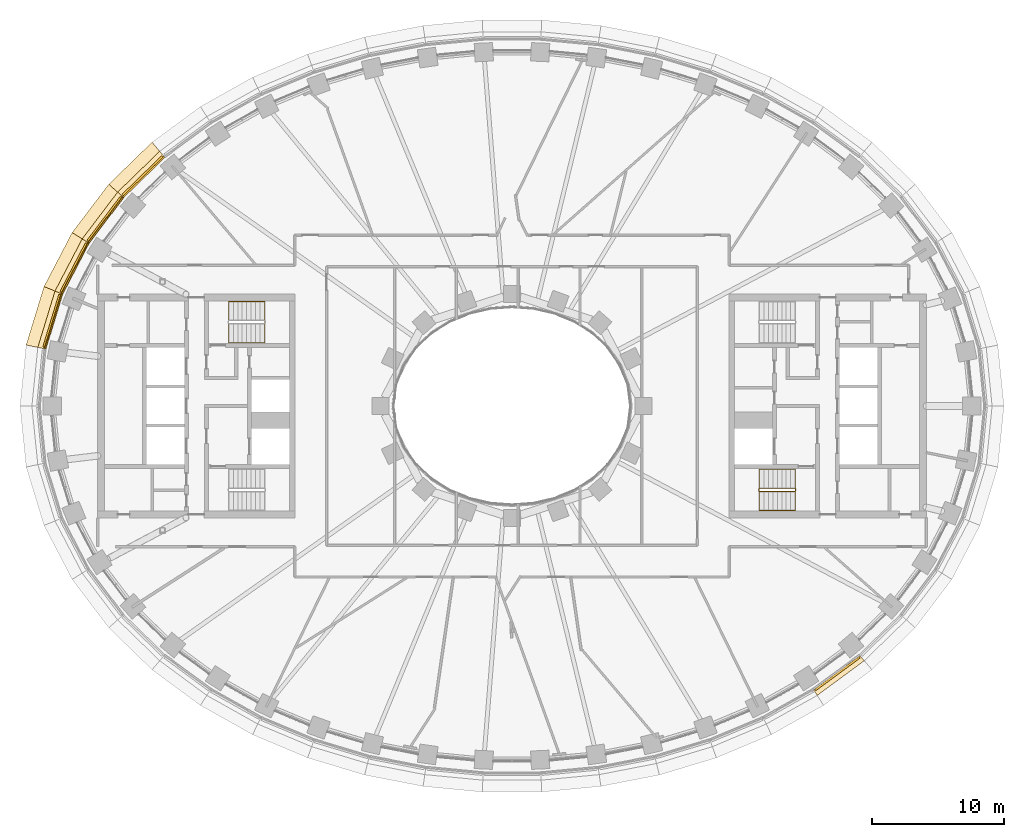
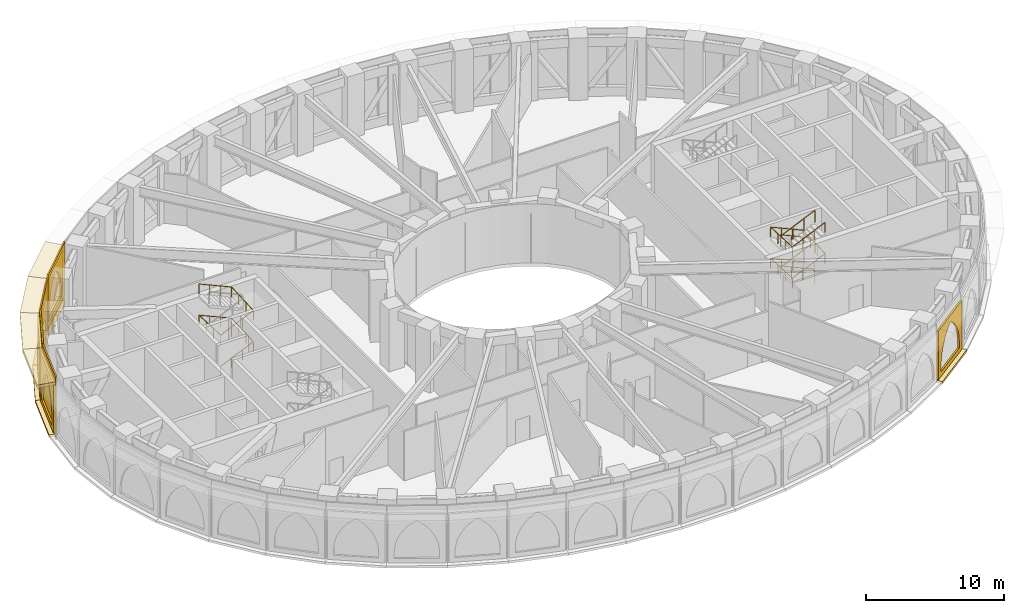
# One storey, part 22 of 25: 18 coverings, 3 railings.
"""IFC4 building model written with IfcOpenShell, lengths in metres."""

from ifc_helpers import new_model, si_unit, direction, frame, origin, origin_2d, place, context, subcontext, project, spatial, polyline, rectangle, outline, extrude, material, layer, layer_set, type_object, element, save


model = new_model("IFC4")

# Units and contexts
model_context = context("Model", 3, precision=1e-05, world=origin(), true_north=direction((0.0, 1.0)))
body_context = subcontext(model_context, "Body", "Model", "MODEL_VIEW")
ifc_project = project(units=[si_unit("LENGTHUNIT", "METRE"), si_unit("AREAUNIT", "SQUARE_METRE"), si_unit("VOLUMEUNIT", "CUBIC_METRE"), si_unit("PLANEANGLEUNIT", "RADIAN"), si_unit("MASSUNIT", "GRAM", prefix="KILO")], contexts=[model_context])

# Site, building, storey
site_placement = place(None, origin())
site = spatial("IfcSite", under=ifc_project, at=site_placement, CompositionType="ELEMENT")
building_placement = place(site_placement, origin())
building = spatial("IfcBuilding", under=site, at=building_placement, Name="Noorbagh Ring Tower", CompositionType="ELEMENT")
storey_placement = place(building_placement, frame((0.0, 0.0, 82.5)))
storey = spatial("IfcBuildingStorey", under=building, at=storey_placement, Name="L18", CompositionType="ELEMENT", Elevation=82.5)

# Railings
ifc_material_1 = material(Name="Stainless steel", Category="steel")
railing_type_1 = type_object("IfcRailingType", Name="CORE-STAIR-GUARD", PredefinedType="GUARDRAIL", material=ifc_material_1)
railing_1_placement = place(storey_placement, frame((21.580078125, -6.300048828125, 0.0)))
element("IfcRailing", 1, at=railing_1_placement, inside=storey, type_object=railing_type_1, Name="L18 ST4 stair guard", PredefinedType="GUARDRAIL", context=body_context, shape_type="SweptSolid", body=[
    extrude(rectangle(XDim=0.048095703125, YDim=0.048095703125, at=origin_2d()), frame((0.0, 0.0, 1.076171875), z_axis=(0.0, -1.0, 0.0), x_axis=(1.0, 0.0, 0.0)), (0.0, 0.0, 1.0), 0.14990234375),
    extrude(rectangle(XDim=0.048095703125, YDim=0.048095703125, at=origin_2d()), frame((0.0, -0.14990234375, 1.076171875), z_axis=(-0.195046945594, 0.779236333862, 0.595606770449), x_axis=(-0.970072785993, -0.242814311512, 0.0)), (0.0, 0.0, 1.0), 0.256591796875),
    extrude(rectangle(XDim=0.048095703125, YDim=0.048095703125, at=origin_2d()), frame((-0.050048828125, 0.050048828125, 1.22900390625), z_axis=(-0.912149621895, 0.0, 0.409857374312), x_axis=(0.0, -1.0, 0.0)), (0.0, 0.0, 1.0), 2.98193359375),
    extrude(rectangle(XDim=0.048095703125, YDim=0.048095703125, at=origin_2d()), frame((-2.77001953125, 0.050048828125, 2.451171875), z_axis=(-0.707106781187, -0.707106781187, 0.0), x_axis=(0.707106781187, -0.707106781187, 0.0)), (0.0, 0.0, 1.0), 0.07080078125),
    extrude(rectangle(XDim=0.048095703125, YDim=0.048095703125, at=origin_2d()), frame((-2.820068359375, 0.0, 2.451171875), z_axis=(0.0, -1.0, 0.0), x_axis=(1.0, 0.0, 0.0)), (0.0, 0.0, 1.0), 0.14990234375),
    extrude(rectangle(XDim=0.048095703125, YDim=0.048095703125, at=origin_2d()), frame((-2.820068359375, -0.14990234375, 2.451171875), z_axis=(0.297155754911, -0.297155754911, 0.90741220768), x_axis=(0.707106781187, 0.707106781187, 0.0)), (0.0, 0.0, 1.0), 0.16845703125),
    extrude(rectangle(XDim=0.048095703125, YDim=0.048095703125, at=origin_2d()), frame((-2.77001953125, -0.199951171875, 2.60400390625), z_axis=(0.912149621895, 0.0, 0.409857374312), x_axis=(0.0, 1.0, 0.0)), (0.0, 0.0, 1.0), 2.98193359375),
    extrude(rectangle(XDim=0.048095703125, YDim=0.048095703125, at=origin_2d()), frame((-0.050048828125, -0.199951171875, 3.826171875), z_axis=(0.242814311512, 0.970072785993, 0.0), x_axis=(-0.970072785993, 0.242814311512, 0.0)), (0.0, 0.0, 1.0), 0.2060546875),
    extrude(rectangle(XDim=0.048095703125, YDim=0.048095703125, at=origin_2d()), frame((0.0, 0.0, 3.826171875), z_axis=(0.0, -1.0, 0.0), x_axis=(1.0, 0.0, 0.0)), (0.0, 0.0, 1.0), 0.14990234375),
    extrude(rectangle(XDim=0.048095703125, YDim=0.048095703125, at=origin_2d()), frame((0.0, -0.14990234375, 3.826171875), z_axis=(-0.195046945594, 0.779236333862, 0.595606770449), x_axis=(-0.970072785993, -0.242814311512, 0.0)), (0.0, 0.0, 1.0), 0.256591796875),
    extrude(rectangle(XDim=0.048095703125, YDim=0.048095703125, at=origin_2d()), frame((-0.050048828125, 0.050048828125, 3.97900390625), z_axis=(-0.912149621895, 0.0, 0.409857374312), x_axis=(0.0, -1.0, 0.0)), (0.0, 0.0, 1.0), 2.98193359375),
    extrude(rectangle(XDim=0.048095703125, YDim=0.048095703125, at=origin_2d()), frame((-2.77001953125, 0.050048828125, 5.201171875), z_axis=(-0.707106781187, -0.707106781187, 0.0), x_axis=(0.707106781187, -0.707106781187, 0.0)), (0.0, 0.0, 1.0), 0.07080078125),
    extrude(rectangle(XDim=0.048095703125, YDim=0.048095703125, at=origin_2d()), frame((-2.820068359375, 0.0, 5.201171875), z_axis=(0.0, -1.0, 0.0), x_axis=(1.0, 0.0, 0.0)), (0.0, 0.0, 1.0), 0.14990234375),
    extrude(rectangle(XDim=0.048095703125, YDim=0.048095703125, at=origin_2d()), frame((-2.820068359375, -0.14990234375, 5.201171875), z_axis=(0.297155754911, -0.297155754911, 0.90741220768), x_axis=(0.707106781187, 0.707106781187, 0.0)), (0.0, 0.0, 1.0), 0.16845703125),
    extrude(rectangle(XDim=0.048095703125, YDim=0.048095703125, at=origin_2d()), frame((-2.77001953125, -0.199951171875, 5.35400390625), z_axis=(0.912149621895, 0.0, 0.409857374312), x_axis=(0.0, 1.0, 0.0)), (0.0, 0.0, 1.0), 2.98193359375),
    extrude(rectangle(XDim=0.0419921875, YDim=0.0419921875, at=origin_2d()), origin(), (0.0, 0.0, 1.0), 1.052001953125),
    extrude(rectangle(XDim=0.0419921875, YDim=0.0419921875, at=origin_2d()), frame((-0.956787109375, 0.050048828125, 0.560302734375)), (0.0, 0.0, 1.0), 1.052001953125),
    extrude(rectangle(XDim=0.0419921875, YDim=0.0419921875, at=origin_2d()), frame((-1.86328125, 0.050048828125, 0.967529296875)), (0.0, 0.0, 1.0), 1.052001953125),
    extrude(rectangle(XDim=0.0419921875, YDim=0.0419921875, at=origin_2d()), frame((-2.77001953125, 0.050048828125, 1.375)), (0.0, 0.0, 1.0), 1.052001953125),
    extrude(rectangle(XDim=0.0419921875, YDim=0.0419921875, at=origin_2d()), frame((-1.86328125, -0.199951171875, 1.935302734375)), (0.0, 0.0, 1.0), 1.052001953125),
    extrude(rectangle(XDim=0.0419921875, YDim=0.0419921875, at=origin_2d()), frame((-0.956787109375, -0.199951171875, 2.342529296875)), (0.0, 0.0, 1.0), 1.052001953125),
    extrude(rectangle(XDim=0.0419921875, YDim=0.0419921875, at=origin_2d()), frame((-0.050048828125, -0.199951171875, 2.75)), (0.0, 0.0, 1.0), 1.052001953125),
    extrude(rectangle(XDim=0.0419921875, YDim=0.0419921875, at=origin_2d()), frame((-0.956787109375, 0.050048828125, 3.310302734375)), (0.0, 0.0, 1.0), 1.052001953125),
    extrude(rectangle(XDim=0.0419921875, YDim=0.0419921875, at=origin_2d()), frame((-1.86328125, 0.050048828125, 3.717529296875)), (0.0, 0.0, 1.0), 1.052001953125),
    extrude(rectangle(XDim=0.0419921875, YDim=0.0419921875, at=origin_2d()), frame((-2.77001953125, 0.050048828125, 4.125)), (0.0, 0.0, 1.0), 1.052001953125),
    extrude(rectangle(XDim=0.0419921875, YDim=0.0419921875, at=origin_2d()), frame((-1.86328125, -0.199951171875, 4.685302734375)), (0.0, 0.0, 1.0), 1.052001953125),
    extrude(rectangle(XDim=0.0419921875, YDim=0.0419921875, at=origin_2d()), frame((-0.956787109375, -0.199951171875, 5.092529296875)), (0.0, 0.0, 1.0), 1.052001953125),
    extrude(rectangle(XDim=0.0419921875, YDim=0.0419921875, at=origin_2d()), frame((-0.050048828125, -0.199951171875, 5.5)), (0.0, 0.0, 1.0), 1.052001953125),
])
ifc_material_2 = material(Name="Stainless steel", Category="steel")
railing_type_2 = type_object("IfcRailingType", Name="CORE-STAIR-HANDRAIL", PredefinedType="HANDRAIL", material=ifc_material_2)
railing_2_placement = place(storey_placement, frame((-21.530029296875, 4.800048828125, 0.15283203125)))
element("IfcRailing", 2, at=railing_2_placement, inside=storey, type_object=railing_type_2, Name="L18 ST1 stair handrail", PredefinedType="HANDRAIL", context=body_context, shape_type="SweptSolid", body=[
    extrude(rectangle(XDim=0.048095703125, YDim=0.048095703125, at=origin_2d()), frame((0.0, 0.0, 0.8759765625), z_axis=(0.912149621895, 0.0, 0.409857374312), x_axis=(0.0, 1.0, 0.0)), (0.0, 0.0, 1.0), 2.98193359375),
    extrude(rectangle(XDim=0.048095703125, YDim=0.048095703125, at=origin_2d()), frame((2.719970703125, 0.0, 2.09814453125), z_axis=(0.0, 0.998824997948, 0.048462598722), x_axis=(-1.0, 0.0, 0.0)), (0.0, 0.0, 1.0), 3.153564453125),
    extrude(rectangle(XDim=0.048095703125, YDim=0.048095703125, at=origin_2d()), frame((2.719970703125, 3.14990234375, 2.2509765625), z_axis=(-0.912149621895, 0.0, 0.409857374312), x_axis=(0.0, -1.0, 0.0)), (0.0, 0.0, 1.0), 2.98193359375),
    extrude(rectangle(XDim=0.048095703125, YDim=0.048095703125, at=origin_2d()), frame((0.0, 3.14990234375, 3.47314453125), z_axis=(0.0, -0.998824997948, 0.048462598722), x_axis=(1.0, 0.0, 0.0)), (0.0, 0.0, 1.0), 3.153564453125),
    extrude(rectangle(XDim=0.048095703125, YDim=0.048095703125, at=origin_2d()), frame((0.0, 0.0, 3.6259765625), z_axis=(0.912149621895, 0.0, 0.409857374312), x_axis=(0.0, 1.0, 0.0)), (0.0, 0.0, 1.0), 2.98193359375),
    extrude(rectangle(XDim=0.048095703125, YDim=0.048095703125, at=origin_2d()), frame((2.719970703125, 0.0, 4.84814453125), z_axis=(0.0, 0.998824997948, 0.048462598722), x_axis=(-1.0, 0.0, 0.0)), (0.0, 0.0, 1.0), 3.153564453125),
    extrude(rectangle(XDim=0.048095703125, YDim=0.048095703125, at=origin_2d()), frame((2.719970703125, 3.14990234375, 5.0009765625), z_axis=(-0.912149621895, 0.0, 0.409857374312), x_axis=(0.0, -1.0, 0.0)), (0.0, 0.0, 1.0), 2.98193359375),
    extrude(rectangle(XDim=0.0419921875, YDim=0.0419921875, at=origin_2d()), origin(), (0.0, 0.0, 1.0), 0.851806640625),
    extrude(rectangle(XDim=0.0419921875, YDim=0.0419921875, at=origin_2d()), frame((0.90673828125, 0.0, 0.407470703125)), (0.0, 0.0, 1.0), 0.851806640625),
    extrude(rectangle(XDim=0.0419921875, YDim=0.0419921875, at=origin_2d()), frame((1.813232421875, 0.0, 0.814697265625)), (0.0, 0.0, 1.0), 0.851806640625),
    extrude(rectangle(XDim=0.0419921875, YDim=0.0419921875, at=origin_2d()), frame((2.719970703125, 0.0, 1.22216796875)), (0.0, 0.0, 1.0), 0.851806640625),
    extrude(rectangle(XDim=0.0419921875, YDim=0.0419921875, at=origin_2d()), frame((2.719970703125, 1.050048828125, 1.273193359375)), (0.0, 0.0, 1.0), 0.851806640625),
    extrude(rectangle(XDim=0.0419921875, YDim=0.0419921875, at=origin_2d()), frame((2.719970703125, 2.099853515625, 1.323974609375)), (0.0, 0.0, 1.0), 0.851806640625),
    extrude(rectangle(XDim=0.0419921875, YDim=0.0419921875, at=origin_2d()), frame((2.719970703125, 3.14990234375, 1.375)), (0.0, 0.0, 1.0), 0.851806640625),
    extrude(rectangle(XDim=0.0419921875, YDim=0.0419921875, at=origin_2d()), frame((1.813232421875, 3.14990234375, 1.782470703125)), (0.0, 0.0, 1.0), 0.851806640625),
    extrude(rectangle(XDim=0.0419921875, YDim=0.0419921875, at=origin_2d()), frame((0.90673828125, 3.14990234375, 2.189697265625)), (0.0, 0.0, 1.0), 0.851806640625),
    extrude(rectangle(XDim=0.0419921875, YDim=0.0419921875, at=origin_2d()), frame((0.0, 3.14990234375, 2.59716796875)), (0.0, 0.0, 1.0), 0.851806640625),
    extrude(rectangle(XDim=0.0419921875, YDim=0.0419921875, at=origin_2d()), frame((0.0, 2.099853515625, 2.648193359375)), (0.0, 0.0, 1.0), 0.851806640625),
    extrude(rectangle(XDim=0.0419921875, YDim=0.0419921875, at=origin_2d()), frame((0.0, 1.050048828125, 2.698974609375)), (0.0, 0.0, 1.0), 0.851806640625),
    extrude(rectangle(XDim=0.0419921875, YDim=0.0419921875, at=origin_2d()), frame((0.0, 0.0, 2.75)), (0.0, 0.0, 1.0), 0.851806640625),
    extrude(rectangle(XDim=0.0419921875, YDim=0.0419921875, at=origin_2d()), frame((0.90673828125, 0.0, 3.157470703125)), (0.0, 0.0, 1.0), 0.851806640625),
    extrude(rectangle(XDim=0.0419921875, YDim=0.0419921875, at=origin_2d()), frame((1.813232421875, 0.0, 3.564697265625)), (0.0, 0.0, 1.0), 0.851806640625),
    extrude(rectangle(XDim=0.0419921875, YDim=0.0419921875, at=origin_2d()), frame((2.719970703125, 0.0, 3.97216796875)), (0.0, 0.0, 1.0), 0.851806640625),
    extrude(rectangle(XDim=0.0419921875, YDim=0.0419921875, at=origin_2d()), frame((2.719970703125, 1.050048828125, 4.023193359375)), (0.0, 0.0, 1.0), 0.851806640625),
    extrude(rectangle(XDim=0.0419921875, YDim=0.0419921875, at=origin_2d()), frame((2.719970703125, 2.099853515625, 4.073974609375)), (0.0, 0.0, 1.0), 0.851806640625),
    extrude(rectangle(XDim=0.0419921875, YDim=0.0419921875, at=origin_2d()), frame((2.719970703125, 3.14990234375, 4.125)), (0.0, 0.0, 1.0), 0.851806640625),
    extrude(rectangle(XDim=0.0419921875, YDim=0.0419921875, at=origin_2d()), frame((1.813232421875, 3.14990234375, 4.532470703125)), (0.0, 0.0, 1.0), 0.851806640625),
    extrude(rectangle(XDim=0.0419921875, YDim=0.0419921875, at=origin_2d()), frame((0.90673828125, 3.14990234375, 4.939697265625)), (0.0, 0.0, 1.0), 0.851806640625),
    extrude(rectangle(XDim=0.0419921875, YDim=0.0419921875, at=origin_2d()), frame((0.0, 3.14990234375, 5.34716796875)), (0.0, 0.0, 1.0), 0.851806640625),
])
railing_3_placement = place(storey_placement, frame((21.530029296875, -4.800048828125, 0.15283203125)))
element("IfcRailing", 3, at=railing_3_placement, inside=storey, type_object=railing_type_2, Name="L18 ST4 stair handrail", PredefinedType="HANDRAIL", context=body_context, shape_type="SweptSolid", body=[
    extrude(rectangle(XDim=0.048095703125, YDim=0.048095703125, at=origin_2d()), frame((0.0, 0.0, 0.8759765625), z_axis=(-0.912149621895, 0.0, 0.409857374312), x_axis=(0.0, -1.0, 0.0)), (0.0, 0.0, 1.0), 2.98193359375),
    extrude(rectangle(XDim=0.048095703125, YDim=0.048095703125, at=origin_2d()), frame((-2.719970703125, 0.0, 2.09814453125), z_axis=(0.0, -0.998824997948, 0.048462598722), x_axis=(1.0, 0.0, 0.0)), (0.0, 0.0, 1.0), 3.153564453125),
    extrude(rectangle(XDim=0.048095703125, YDim=0.048095703125, at=origin_2d()), frame((-2.719970703125, -3.14990234375, 2.2509765625), z_axis=(0.912149621895, 0.0, 0.409857374312), x_axis=(0.0, 1.0, 0.0)), (0.0, 0.0, 1.0), 2.98193359375),
    extrude(rectangle(XDim=0.048095703125, YDim=0.048095703125, at=origin_2d()), frame((0.0, -3.14990234375, 3.47314453125), z_axis=(0.0, 0.998824997948, 0.048462598722), x_axis=(-1.0, 0.0, 0.0)), (0.0, 0.0, 1.0), 3.153564453125),
    extrude(rectangle(XDim=0.048095703125, YDim=0.048095703125, at=origin_2d()), frame((0.0, 0.0, 3.6259765625), z_axis=(-0.912149621895, 0.0, 0.409857374312), x_axis=(0.0, -1.0, 0.0)), (0.0, 0.0, 1.0), 2.98193359375),
    extrude(rectangle(XDim=0.048095703125, YDim=0.048095703125, at=origin_2d()), frame((-2.719970703125, 0.0, 4.84814453125), z_axis=(0.0, -0.998824997948, 0.048462598722), x_axis=(1.0, 0.0, 0.0)), (0.0, 0.0, 1.0), 3.153564453125),
    extrude(rectangle(XDim=0.048095703125, YDim=0.048095703125, at=origin_2d()), frame((-2.719970703125, -3.14990234375, 5.0009765625), z_axis=(0.912149621895, 0.0, 0.409857374312), x_axis=(0.0, 1.0, 0.0)), (0.0, 0.0, 1.0), 2.98193359375),
    extrude(rectangle(XDim=0.0419921875, YDim=0.0419921875, at=origin_2d()), origin(), (0.0, 0.0, 1.0), 0.851806640625),
    extrude(rectangle(XDim=0.0419921875, YDim=0.0419921875, at=origin_2d()), frame((-0.90673828125, 0.0, 0.407470703125)), (0.0, 0.0, 1.0), 0.851806640625),
    extrude(rectangle(XDim=0.0419921875, YDim=0.0419921875, at=origin_2d()), frame((-1.813232421875, 0.0, 0.814697265625)), (0.0, 0.0, 1.0), 0.851806640625),
    extrude(rectangle(XDim=0.0419921875, YDim=0.0419921875, at=origin_2d()), frame((-2.719970703125, 0.0, 1.22216796875)), (0.0, 0.0, 1.0), 0.851806640625),
    extrude(rectangle(XDim=0.0419921875, YDim=0.0419921875, at=origin_2d()), frame((-2.719970703125, -1.050048828125, 1.273193359375)), (0.0, 0.0, 1.0), 0.851806640625),
    extrude(rectangle(XDim=0.0419921875, YDim=0.0419921875, at=origin_2d()), frame((-2.719970703125, -2.099853515625, 1.323974609375)), (0.0, 0.0, 1.0), 0.851806640625),
    extrude(rectangle(XDim=0.0419921875, YDim=0.0419921875, at=origin_2d()), frame((-2.719970703125, -3.14990234375, 1.375)), (0.0, 0.0, 1.0), 0.851806640625),
    extrude(rectangle(XDim=0.0419921875, YDim=0.0419921875, at=origin_2d()), frame((-1.813232421875, -3.14990234375, 1.782470703125)), (0.0, 0.0, 1.0), 0.851806640625),
    extrude(rectangle(XDim=0.0419921875, YDim=0.0419921875, at=origin_2d()), frame((-0.90673828125, -3.14990234375, 2.189697265625)), (0.0, 0.0, 1.0), 0.851806640625),
    extrude(rectangle(XDim=0.0419921875, YDim=0.0419921875, at=origin_2d()), frame((0.0, -3.14990234375, 2.59716796875)), (0.0, 0.0, 1.0), 0.851806640625),
    extrude(rectangle(XDim=0.0419921875, YDim=0.0419921875, at=origin_2d()), frame((0.0, -2.099853515625, 2.648193359375)), (0.0, 0.0, 1.0), 0.851806640625),
    extrude(rectangle(XDim=0.0419921875, YDim=0.0419921875, at=origin_2d()), frame((0.0, -1.050048828125, 2.698974609375)), (0.0, 0.0, 1.0), 0.851806640625),
    extrude(rectangle(XDim=0.0419921875, YDim=0.0419921875, at=origin_2d()), frame((0.0, 0.0, 2.75)), (0.0, 0.0, 1.0), 0.851806640625),
    extrude(rectangle(XDim=0.0419921875, YDim=0.0419921875, at=origin_2d()), frame((-0.90673828125, 0.0, 3.157470703125)), (0.0, 0.0, 1.0), 0.851806640625),
    extrude(rectangle(XDim=0.0419921875, YDim=0.0419921875, at=origin_2d()), frame((-1.813232421875, 0.0, 3.564697265625)), (0.0, 0.0, 1.0), 0.851806640625),
    extrude(rectangle(XDim=0.0419921875, YDim=0.0419921875, at=origin_2d()), frame((-2.719970703125, 0.0, 3.97216796875)), (0.0, 0.0, 1.0), 0.851806640625),
    extrude(rectangle(XDim=0.0419921875, YDim=0.0419921875, at=origin_2d()), frame((-2.719970703125, -1.050048828125, 4.023193359375)), (0.0, 0.0, 1.0), 0.851806640625),
    extrude(rectangle(XDim=0.0419921875, YDim=0.0419921875, at=origin_2d()), frame((-2.719970703125, -2.099853515625, 4.073974609375)), (0.0, 0.0, 1.0), 0.851806640625),
    extrude(rectangle(XDim=0.0419921875, YDim=0.0419921875, at=origin_2d()), frame((-2.719970703125, -3.14990234375, 4.125)), (0.0, 0.0, 1.0), 0.851806640625),
    extrude(rectangle(XDim=0.0419921875, YDim=0.0419921875, at=origin_2d()), frame((-1.813232421875, -3.14990234375, 4.532470703125)), (0.0, 0.0, 1.0), 0.851806640625),
    extrude(rectangle(XDim=0.0419921875, YDim=0.0419921875, at=origin_2d()), frame((-0.90673828125, -3.14990234375, 4.939697265625)), (0.0, 0.0, 1.0), 0.851806640625),
    extrude(rectangle(XDim=0.0419921875, YDim=0.0419921875, at=origin_2d()), frame((0.0, -3.14990234375, 5.34716796875)), (0.0, 0.0, 1.0), 0.851806640625),
])

# Coverings
ifc_material_3 = material(Name="Aluminium 6063-T6 black anodised", Category="aluminium")
ifc_layer_1 = layer(ifc_material_3, 0.1201171875)
ifc_layer_set_1 = layer_set([ifc_layer_1], Name="Aluminium 6063-T6 black anodised")
covering_type_1 = type_object("IfcCoveringType", Name="ENV-LOUVRE-BAND", PredefinedType="CLADDING", material=ifc_layer_set_1)
covering_1_placement = place(storey_placement, frame((-27.993408203125, 17.41259765625, -0.300048828125), z_axis=(0.0, 0.0, 1.0), x_axis=(-0.717224548362, -0.696842125038, 0.0)))
element("IfcCovering", 4, at=covering_1_placement, inside=storey, type_object=covering_type_1, Name="Louvre screen chord 19", ObjectType="LOUVRE", PredefinedType="CLADDING", context=body_context, shape_type="SweptSolid", body=[
    extrude(rectangle(XDim=4.347900390625, YDim=0.1201171875, at=origin_2d()), origin(), (0.0, 0.0, 1.0), 5.5),
])
covering_2_placement = place(storey_placement, frame((-30.883544921875, 14.145263671875, -0.300048828125), z_axis=(0.0, 0.0, 1.0), x_axis=(-0.604020184358, -0.796969018776, 0.0)))
element("IfcCovering", 5, at=covering_2_placement, inside=storey, type_object=covering_type_1, Name="Louvre screen chord 20", ObjectType="LOUVRE", PredefinedType="CLADDING", context=body_context, shape_type="SweptSolid", body=[
    extrude(rectangle(XDim=4.346923828125, YDim=0.1201171875, at=origin_2d()), origin(), (0.0, 0.0, 1.0), 5.5),
])
covering_3_placement = place(storey_placement, frame((-33.21484375, 10.464111328125, -0.300048828125), z_axis=(0.0, 0.0, 1.0), x_axis=(-0.462278064231, -0.88673501754, 0.0)))
element("IfcCovering", 6, at=covering_3_placement, inside=storey, type_object=covering_type_1, Name="Louvre screen chord 21", ObjectType="LOUVRE", PredefinedType="CLADDING", context=body_context, shape_type="SweptSolid", body=[
    extrude(rectangle(XDim=4.345947265625, YDim=0.1201171875, at=origin_2d()), origin(), (0.0, 0.0, 1.0), 5.5),
])
covering_4_placement = place(storey_placement, frame((-34.86376953125, 6.436279296875, -0.300048828125), z_axis=(0.0, 0.0, 1.0), x_axis=(-0.292170066961, -0.95636637957, 0.0)))
element("IfcCovering", 7, at=covering_4_placement, inside=storey, type_object=covering_type_1, Name="Louvre screen chord 22", ObjectType="LOUVRE", PredefinedType="CLADDING", context=body_context, shape_type="SweptSolid", body=[
    extrude(rectangle(XDim=4.344970703125, YDim=0.1201171875, at=origin_2d()), origin(), (0.0, 0.0, 1.0), 5.5),
])
ifc_material_4 = material(Name="Red sandstone cladding", Category="masonry")
ifc_layer_2 = layer(ifc_material_4, 0.14990234375)
ifc_layer_set_2 = layer_set([ifc_layer_2], Name="Red sandstone cladding")
covering_type_2 = type_object("IfcCoveringType", Name="STYLE-BAND-ARCADE", PredefinedType="USERDEFINED", material=ifc_layer_set_2)
covering_5_placement = place(storey_placement, frame((-26.639404296875, 19.021240234375, 0.25), z_axis=(-0.696851724238, 0.717215221831, 0.0), x_axis=(-0.717215221831, -0.696851724238, 0.0)))
element("IfcCovering", 8, at=covering_5_placement, inside=storey, type_object=covering_type_2, Name="Blind arch bay of the band", ObjectType="ARCH", PredefinedType="USERDEFINED", context=body_context, shape_type="SweptSolid", body=[
    extrude(outline(polyline([(0.0, 0.0), (4.184326171875, 0.0), (4.184326171875, 4.300048828125), (0.0, 4.300048828125), (0.0, 0.0)]), holes=[polyline([(0.449951171875, 0.39990234375), (0.449951171875, 0.90576171875), (0.47802734375, 1.33447265625), (0.56201171875, 1.755859375), (0.699951171875, 2.16259765625), (0.889892578125, 2.548095703125), (1.128662109375, 2.9052734375), (1.411865234375, 3.228271484375), (1.73486328125, 3.511474609375), (2.092041015625, 3.75), (2.44921875, 3.511474609375), (2.772216796875, 3.228271484375), (3.0556640625, 2.9052734375), (3.294189453125, 2.548095703125), (3.484130859375, 2.16259765625), (3.622314453125, 1.755859375), (3.706298828125, 1.33447265625), (3.734130859375, 0.90576171875), (3.734130859375, 0.39990234375), (0.449951171875, 0.39990234375)])]), origin(), (0.0, 0.0, -1.0), 0.14990234375),
])
covering_6_placement = place(storey_placement, frame((-29.78759765625, 15.939208984375, 0.25), z_axis=(-0.796985737541, 0.603998124299, 0.0), x_axis=(-0.603998124299, -0.796985737541, 0.0)))
element("IfcCovering", 9, at=covering_6_placement, inside=storey, type_object=covering_type_2, Name="Blind arch bay of the band", ObjectType="ARCH", PredefinedType="USERDEFINED", context=body_context, shape_type="SweptSolid", body=[
    extrude(outline(polyline([(0.0, 0.0), (4.18359375, 0.0), (4.18359375, 4.300048828125), (0.0, 4.300048828125), (0.0, 0.0)]), holes=[polyline([(0.449951171875, 0.39990234375), (0.449951171875, 0.906494140625), (0.47802734375, 1.335205078125), (0.56201171875, 1.75634765625), (0.699951171875, 2.1630859375), (0.889892578125, 2.54833984375), (1.12841796875, 2.905517578125), (1.41162109375, 3.228271484375), (1.734619140625, 3.511474609375), (2.091796875, 3.75), (2.44873046875, 3.511474609375), (2.771728515625, 3.228271484375), (3.054931640625, 2.905517578125), (3.29345703125, 2.54833984375), (3.4833984375, 2.1630859375), (3.62158203125, 1.75634765625), (3.705322265625, 1.335205078125), (3.7333984375, 0.906494140625), (3.7333984375, 0.39990234375), (0.449951171875, 0.39990234375)])]), origin(), (0.0, 0.0, -1.0), 0.14990234375),
])
covering_7_placement = place(storey_placement, frame((-32.434326171875, 12.415283203125, 0.25), z_axis=(-0.886709716342, 0.462326593379, 0.0), x_axis=(-0.462326593379, -0.886709716342, 0.0)))
element("IfcCovering", 10, at=covering_7_placement, inside=storey, type_object=covering_type_2, Name="Blind arch bay of the band", ObjectType="ARCH", PredefinedType="USERDEFINED", context=body_context, shape_type="SweptSolid", body=[
    extrude(outline(polyline([(0.0, 0.0), (4.182373046875, 0.0), (4.182373046875, 4.300048828125), (0.0, 4.300048828125), (0.0, 0.0)]), holes=[polyline([(0.449951171875, 0.39990234375), (0.449951171875, 0.907470703125), (0.47802734375, 1.3359375), (0.561767578125, 1.757080078125), (0.699951171875, 2.16357421875), (0.8896484375, 2.548583984375), (1.12841796875, 2.90576171875), (1.411376953125, 3.228515625), (1.734130859375, 3.51171875), (2.09130859375, 3.75), (2.447998046875, 3.51171875), (2.77099609375, 3.228515625), (3.053955078125, 2.90576171875), (3.29248046875, 2.548583984375), (3.482421875, 2.16357421875), (3.62060546875, 1.757080078125), (3.7041015625, 1.3359375), (3.732421875, 0.907470703125), (3.732421875, 0.39990234375), (0.449951171875, 0.39990234375)])]), origin(), (0.0, 0.0, -1.0), 0.14990234375),
])
covering_8_placement = place(storey_placement, frame((-34.45361328125, 8.4970703125, 0.25), z_axis=(-0.956367886414, 0.292165134531, 0.0), x_axis=(-0.292165134531, -0.956367886414, 0.0)))
element("IfcCovering", 11, at=covering_8_placement, inside=storey, type_object=covering_type_2, Name="Blind arch bay of the band", ObjectType="ARCH", PredefinedType="USERDEFINED", context=body_context, shape_type="SweptSolid", body=[
    extrude(outline(polyline([(0.0, 0.0), (4.181396484375, 0.0), (4.181396484375, 4.300048828125), (0.0, 4.300048828125), (0.0, 0.0)]), holes=[polyline([(0.449951171875, 0.39990234375), (0.449951171875, 0.908447265625), (0.47802734375, 1.336669921875), (0.561767578125, 1.757568359375), (0.69970703125, 2.1640625), (0.8896484375, 2.549072265625), (1.128173828125, 2.906005859375), (1.4111328125, 3.228515625), (1.73388671875, 3.51171875), (2.0908203125, 3.75), (2.447509765625, 3.51171875), (2.770263671875, 3.228515625), (3.05322265625, 2.906005859375), (3.291748046875, 2.549072265625), (3.4814453125, 2.1640625), (3.619384765625, 1.757568359375), (3.703125, 1.336669921875), (3.731201171875, 0.908447265625), (3.731201171875, 0.39990234375), (0.449951171875, 0.39990234375)])]), origin(), (0.0, 0.0, -1.0), 0.14990234375),
])
covering_9_placement = place(storey_placement, frame((23.10205078125, -21.645263671875, 0.25), z_axis=(0.593079629262, -0.805143809114, 0.0), x_axis=(0.805143809114, 0.593079629262, 0.0)))
element("IfcCovering", 12, at=covering_9_placement, inside=storey, type_object=covering_type_2, Name="Blind arch bay of the band", ObjectType="ARCH", PredefinedType="USERDEFINED", context=body_context, shape_type="SweptSolid", body=[
    extrude(outline(polyline([(0.0, 0.0), (4.184814453125, 0.0), (4.184814453125, 4.300048828125), (0.0, 4.300048828125), (0.0, 0.0)]), holes=[polyline([(0.449951171875, 0.39990234375), (0.449951171875, 0.9052734375), (0.47802734375, 1.333984375), (0.56201171875, 1.75537109375), (0.7001953125, 2.162353515625), (0.89013671875, 2.547607421875), (1.12890625, 2.905029296875), (1.412109375, 3.22802734375), (1.735107421875, 3.511474609375), (2.092529296875, 3.75), (2.44970703125, 3.511474609375), (2.772705078125, 3.22802734375), (3.05615234375, 2.905029296875), (3.294921875, 2.547607421875), (3.48486328125, 2.162353515625), (3.623046875, 1.75537109375), (3.706787109375, 1.333984375), (3.73486328125, 0.9052734375), (3.73486328125, 0.39990234375), (0.449951171875, 0.39990234375)])]), origin(), (0.0, 0.0, -1.0), 0.14990234375),
])
ifc_material_5 = material(Name="Red sandstone eave", Category="masonry")
covering_type_3 = type_object("IfcCoveringType", Name="STYLE-BAND-EAVE", PredefinedType="USERDEFINED", material=ifc_material_5)
covering_10_placement = place(storey_placement, frame((0.0, 0.0, 4.550048828125)))
element("IfcCovering", 13, at=covering_10_placement, inside=storey, type_object=covering_type_3, Name="Chhajja eave", ObjectType="CHHAJJA", PredefinedType="USERDEFINED", context=body_context, shape_type="SweptSolid", body=[
    extrude(outline(polyline([(-26.463134765625, 18.9833984375), (-29.607666015625, 15.927978515625), (-30.6591796875, 16.8583984375), (-27.3701171875, 20.053955078125), (-26.463134765625, 18.9833984375)])), origin(), (0.0, 0.0, 1.0), 0.300048828125),
])
covering_11_placement = place(storey_placement, frame((0.0, 0.0, 4.550048828125)))
element("IfcCovering", 14, at=covering_11_placement, inside=storey, type_object=covering_type_3, Name="Chhajja eave", ObjectType="CHHAJJA", PredefinedType="USERDEFINED", context=body_context, shape_type="SweptSolid", body=[
    extrude(outline(polyline([(-29.607666015625, 15.927978515625), (-32.255126953125, 12.434814453125), (-33.442138671875, 13.186279296875), (-30.6591796875, 16.8583984375), (-29.607666015625, 15.927978515625)])), origin(), (0.0, 0.0, 1.0), 0.300048828125),
])
covering_12_placement = place(storey_placement, frame((0.0, 0.0, 4.550048828125)))
element("IfcCovering", 15, at=covering_12_placement, inside=storey, type_object=covering_type_3, Name="Chhajja eave", ObjectType="CHHAJJA", PredefinedType="USERDEFINED", context=body_context, shape_type="SweptSolid", body=[
    extrude(outline(polyline([(-32.255126953125, 12.434814453125), (-34.281005859375, 8.548828125), (-35.582275390625, 9.081298828125), (-33.442138671875, 13.186279296875), (-32.255126953125, 12.434814453125)])), origin(), (0.0, 0.0, 1.0), 0.300048828125),
])
covering_13_placement = place(storey_placement, frame((0.0, 0.0, 4.550048828125)))
element("IfcCovering", 16, at=covering_13_placement, inside=storey, type_object=covering_type_3, Name="Chhajja eave", ObjectType="CHHAJJA", PredefinedType="USERDEFINED", context=body_context, shape_type="SweptSolid", body=[
    extrude(outline(polyline([(-34.281005859375, 8.548828125), (-35.561279296875, 4.358642578125), (-36.940185546875, 4.635986328125), (-35.582275390625, 9.081298828125), (-34.281005859375, 8.548828125)])), origin(), (0.0, 0.0, 1.0), 0.300048828125),
])
ifc_material_6 = material(Name="Red sandstone eave", Category="masonry")
covering_type_4 = type_object("IfcCoveringType", Name="STYLE-BAND-SILL", PredefinedType="USERDEFINED", material=ifc_material_6)
covering_14_placement = place(storey_placement, frame((0.0, 0.0, 0.050048828125)))
element("IfcCovering", 17, at=covering_14_placement, inside=storey, type_object=covering_type_4, Name="Sill ledge", ObjectType="CHHAJJA", PredefinedType="USERDEFINED", context=body_context, shape_type="SweptSolid", body=[
    extrude(outline(polyline([(-26.463134765625, 18.9833984375), (-29.607666015625, 15.927978515625), (-29.983154296875, 16.260498046875), (-26.787109375, 19.365478515625), (-26.463134765625, 18.9833984375)])), origin(), (0.0, 0.0, 1.0), 0.199951171875),
])
covering_15_placement = place(storey_placement, frame((0.0, 0.0, 0.050048828125)))
element("IfcCovering", 18, at=covering_15_placement, inside=storey, type_object=covering_type_4, Name="Sill ledge", ObjectType="CHHAJJA", PredefinedType="USERDEFINED", context=body_context, shape_type="SweptSolid", body=[
    extrude(outline(polyline([(-29.607666015625, 15.927978515625), (-32.255126953125, 12.434814453125), (-32.67919921875, 12.703125), (-29.983154296875, 16.260498046875), (-29.607666015625, 15.927978515625)])), origin(), (0.0, 0.0, 1.0), 0.199951171875),
])
covering_16_placement = place(storey_placement, frame((0.0, 0.0, 0.050048828125)))
element("IfcCovering", 19, at=covering_16_placement, inside=storey, type_object=covering_type_4, Name="Sill ledge", ObjectType="CHHAJJA", PredefinedType="USERDEFINED", context=body_context, shape_type="SweptSolid", body=[
    extrude(outline(polyline([(-32.255126953125, 12.434814453125), (-34.281005859375, 8.548828125), (-34.745849609375, 8.739013671875), (-32.67919921875, 12.703125), (-32.255126953125, 12.434814453125)])), origin(), (0.0, 0.0, 1.0), 0.199951171875),
])
covering_17_placement = place(storey_placement, frame((0.0, 0.0, 0.050048828125)))
element("IfcCovering", 20, at=covering_17_placement, inside=storey, type_object=covering_type_4, Name="Sill ledge", ObjectType="CHHAJJA", PredefinedType="USERDEFINED", context=body_context, shape_type="SweptSolid", body=[
    extrude(outline(polyline([(-34.281005859375, 8.548828125), (-35.561279296875, 4.358642578125), (-36.0537109375, 4.457763671875), (-34.745849609375, 8.739013671875), (-34.281005859375, 8.548828125)])), origin(), (0.0, 0.0, 1.0), 0.199951171875),
])
covering_18_placement = place(storey_placement, frame((0.0, 0.0, 0.050048828125)))
element("IfcCovering", 21, at=covering_18_placement, inside=storey, type_object=covering_type_4, Name="Sill ledge", ObjectType="CHHAJJA", PredefinedType="USERDEFINED", context=body_context, shape_type="SweptSolid", body=[
    extrude(outline(polyline([(22.9326171875, -21.583740234375), (26.463134765625, -18.9833984375), (26.787109375, -19.365478515625), (23.2041015625, -22.004638671875), (22.9326171875, -21.583740234375)])), origin(), (0.0, 0.0, 1.0), 0.199951171875),
])

save(model, "model.ifc")
